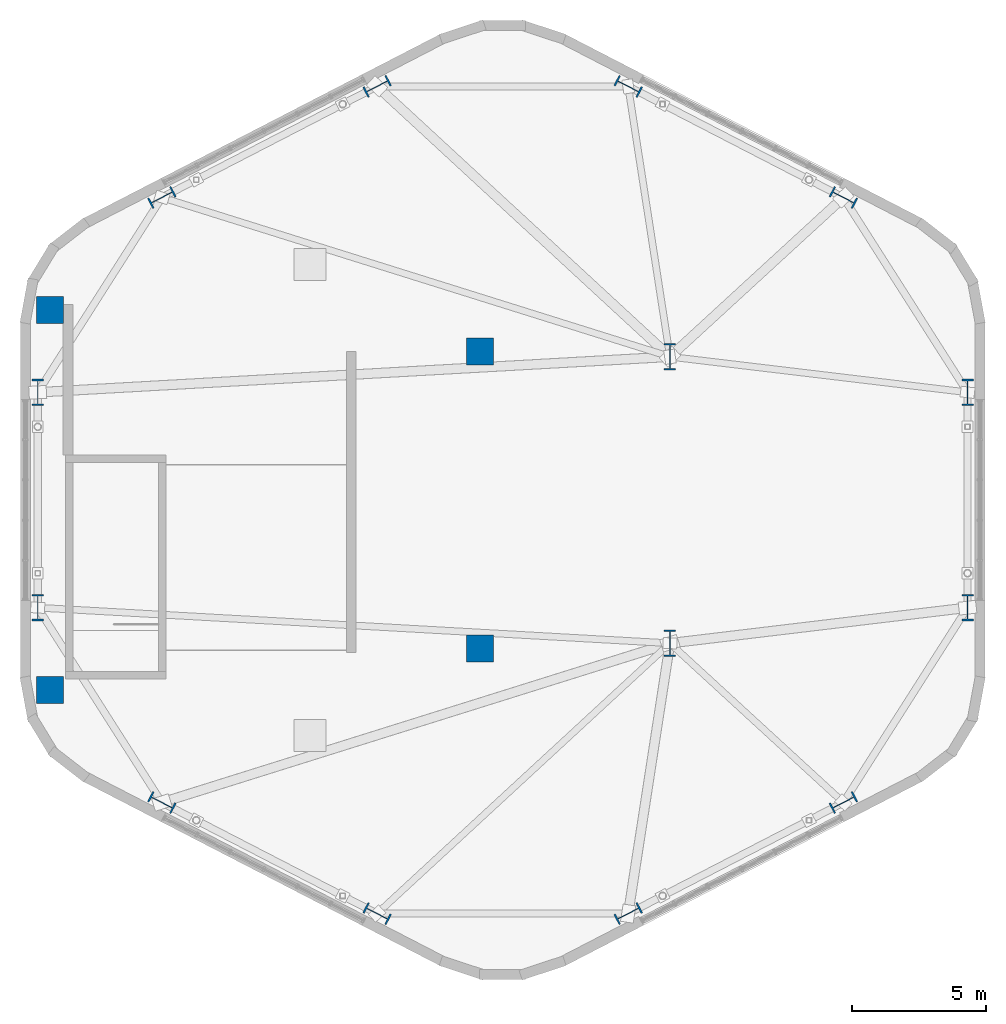
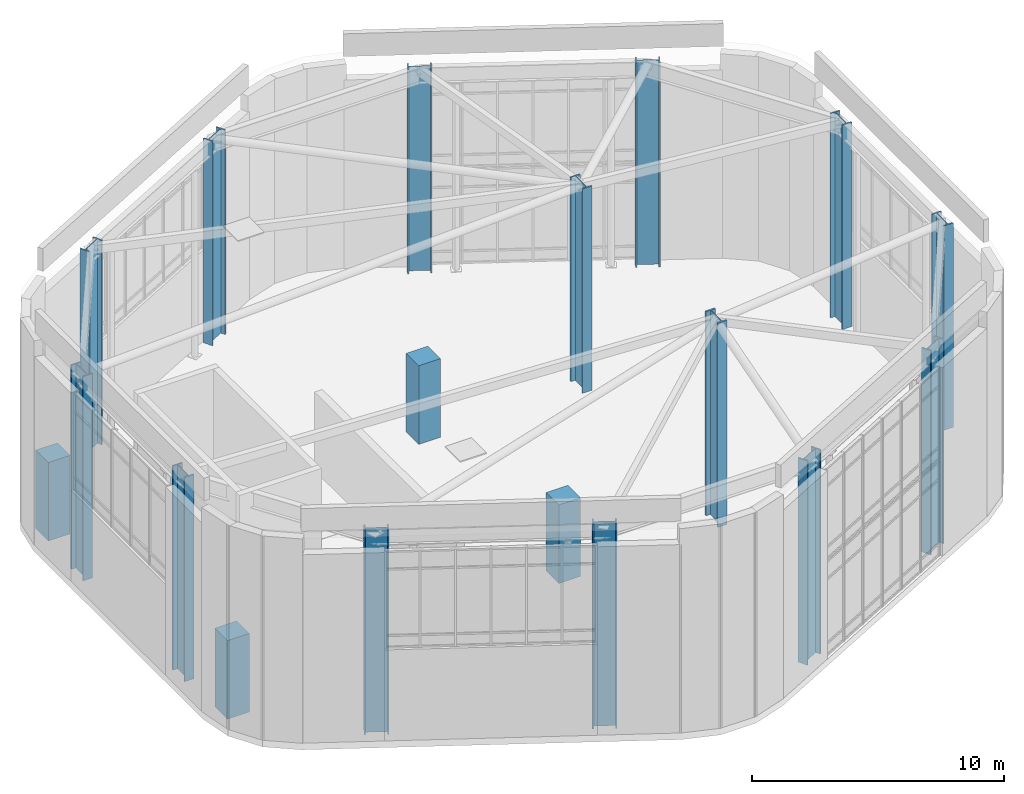
# One storey, part 1 of 23: 18 columns.
"""IFC4 building model written with IfcOpenShell, lengths in metres."""

from ifc_helpers import new_model, si_unit, direction, frame, origin, origin_2d, place, context, subcontext, project, spatial, rectangle, i_section, extrude, material, material_profile, profile_set, type_object, element, save


model = new_model("IFC4")

# Units and contexts
model_context = context("Model", 3, precision=1e-05, world=origin(), true_north=direction((0.0, 1.0)))
body_context = subcontext(model_context, "Body", "Model", "MODEL_VIEW")
ifc_project = project(units=[si_unit("LENGTHUNIT", "METRE"), si_unit("AREAUNIT", "SQUARE_METRE"), si_unit("VOLUMEUNIT", "CUBIC_METRE"), si_unit("PLANEANGLEUNIT", "RADIAN"), si_unit("MASSUNIT", "GRAM", prefix="KILO"), si_unit("THERMODYNAMICTEMPERATUREUNIT", "KELVIN"), si_unit("POWERUNIT", "WATT")], contexts=[model_context])

# Site, building, storey
site_placement = place(None, origin())
site = spatial("IfcSite", under=ifc_project, at=site_placement, CompositionType="ELEMENT")
building_placement = place(site_placement, origin())
building = spatial("IfcBuilding", under=site, at=building_placement, Name="Skarre Station Tower", CompositionType="ELEMENT")
storey_placement = place(building_placement, frame((0.0, 0.0, 291.300048828125)))
storey = spatial("IfcBuildingStorey", under=building, at=storey_placement, Name="RF", CompositionType="ELEMENT", Elevation=291.300048828125)

# Columns
ifc_material_1 = material(Name="Concrete C60/75", Category="concrete")
ifc_material_profile_1 = material_profile(ifc_material_1, rectangle(XDim=1.0, YDim=1.0, at=origin_2d()), Name="Concrete C60/75")
ifc_profile_set_1 = profile_set([ifc_material_profile_1], Name="Concrete C60/75")
column_type_1 = type_object("IfcColumnType", Name="RC Structural Column RC-COL-1000X1000", PredefinedType="COLUMN", material=ifc_profile_set_1)
for number, where, z_axis, x_axis, name in (
    (1, (16.300048828125, 16.89990234375, 0.0), (0.0, 0.0, 1.0), (1.0, 0.0, 0.0), "RF Core Column CC-SW"),
    (2, (16.300048828125, 31.10009765625, 0.0), (0.0, 0.0, 1.0), (1.0, 0.0, 0.0), "RF Core Column CC-NW"),
    (3, (32.35009765625, 18.449951171875, 0.0), (0.0, 0.0, 1.0), (1.0, 0.0, 0.0), "RF Core Column CC-SE"),
    (4, (32.35009765625, 29.550048828125, 0.0), (0.0, 0.0, 1.0), (1.0, 0.0, 0.0), "RF Core Column CC-NE"),
):
    element("IfcColumn", number, at=place(storey_placement, frame(where, z_axis=z_axis, x_axis=x_axis)), inside=storey, type_object=column_type_1, Name=name, PredefinedType="COLUMN", context=body_context, shape_type="SweptSolid", body=[
        extrude(rectangle(XDim=1.0, YDim=1.0, at=origin_2d()), origin(), (0.0, 0.0, 1.0), 3.800048828125),
    ])
ifc_material_2 = material(Name="Steel ASTM A913 Grade 65", Category="steel")
ifc_material_profile_2 = material_profile(ifc_material_2, i_section(OverallWidth=0.430908203125, OverallDepth=0.987060546875, WebThickness=0.033935546875, FlangeThickness=0.06201171875, at=origin_2d()), Name="Steel ASTM A913 Grade 65")
ifc_profile_set_2 = profile_set([ifc_material_profile_2], Name="Steel ASTM A913 Grade 65")
column_type_2 = type_object("IfcColumnType", Name="Steel Column W36X441", PredefinedType="COLUMN", material=ifc_profile_set_2)
for number, where, z_axis, x_axis, name in (
    (5, (45.927001953125, 35.298095703125, 0.0), (0.0, 0.0, 1.0), (0.458711590553, 0.88858521071, 0.0), "RF Crown Lantern Frame Column F0C1"),
    (6, (37.888916015625, 39.447021484375, 0.0), (0.0, 0.0, 1.0), (0.458711590553, 0.88858521071, 0.0), "RF Crown Lantern Frame Column F0C2"),
    (7, (28.510986328125, 39.447021484375, 0.0), (0.0, 0.0, 1.0), (-0.458711590553, 0.88858521071, 0.0), "RF Crown Lantern Frame Column F1C1"),
    (8, (20.472900390625, 35.298095703125, 0.0), (0.0, 0.0, 1.0), (-0.458711590553, 0.88858521071, 0.0), "RF Crown Lantern Frame Column F1C2"),
    (9, (15.8369140625, 28.02099609375, 0.0), (0.0, 0.0, 1.0), (-1.0, 0.0, 0.0), "RF Crown Lantern Frame Column F2C1"),
    (10, (15.8369140625, 19.97900390625, 0.0), (0.0, 0.0, 1.0), (-1.0, 0.0, 0.0), "RF Crown Lantern Frame Column F2C2"),
    (11, (20.472900390625, 12.701904296875, 0.0), (0.0, 0.0, 1.0), (-0.458711590553, -0.88858521071, 0.0), "RF Crown Lantern Frame Column F3C1"),
    (12, (28.510986328125, 8.552978515625, 0.0), (0.0, 0.0, 1.0), (-0.458711590553, -0.88858521071, 0.0), "RF Crown Lantern Frame Column F3C2"),
    (13, (37.888916015625, 8.552978515625, 0.0), (0.0, 0.0, 1.0), (0.458711590553, -0.88858521071, 0.0), "RF Crown Lantern Frame Column F4C1"),
    (14, (45.927001953125, 12.701904296875, 0.0), (0.0, 0.0, 1.0), (0.458711590553, -0.88858521071, 0.0), "RF Crown Lantern Frame Column F4C2"),
    (15, (50.56298828125, 19.97900390625, 0.0), (0.0, 0.0, 1.0), (1.0, 0.0, 0.0), "RF Crown Lantern Frame Column F5C1"),
    (16, (50.56298828125, 28.02099609375, 0.0), (0.0, 0.0, 1.0), (1.0, 0.0, 0.0), "RF Crown Lantern Frame Column F5C2"),
    (17, (39.449951171875, 18.64990234375, 0.0), (0.0, 0.0, 1.0), (1.0, 0.0, 0.0), "RF Crown Lantern Spine Column AC-SE"),
    (18, (39.449951171875, 29.35009765625, 0.0), (0.0, 0.0, 1.0), (1.0, 0.0, 0.0), "RF Crown Lantern Spine Column AC-NE"),
):
    element("IfcColumn", number, at=place(storey_placement, frame(where, z_axis=z_axis, x_axis=x_axis)), inside=storey, type_object=column_type_2, Name=name, PredefinedType="COLUMN", context=body_context, shape_type="SweptSolid", body=[
        extrude(i_section(OverallWidth=0.430908203125, OverallDepth=0.987060546875, WebThickness=0.033935546875, FlangeThickness=0.06201171875, at=origin_2d()), origin(), (0.0, 0.0, 1.0), 9.8798828125),
    ])

save(model, "model.ifc")
